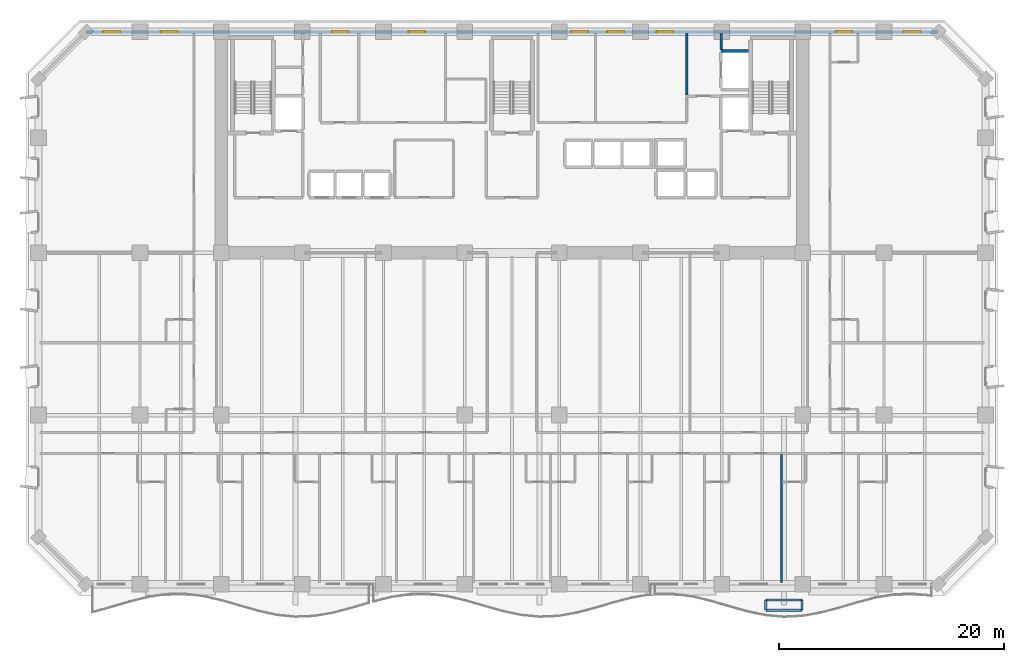
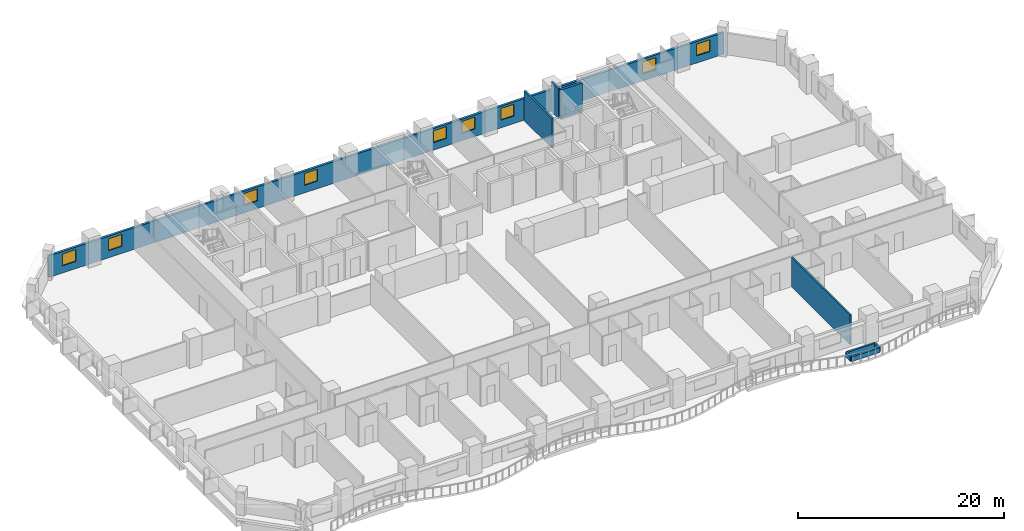
# One storey, part 9 of 15: 9 walls, 9 windows, 9 openings.
"""IFC4 building model written with IfcOpenShell, lengths in metres."""

from ifc_helpers import new_model, si_unit, direction, frame, frame_2d, origin, place, context, subcontext, project, spatial, rectangle, extrude, material, layer, layer_set, type_object, element, fill, save


model = new_model("IFC4")

# Units and contexts
model_context = context("Model", 3, precision=1e-05, world=origin(), true_north=direction((0.0, 1.0)))
body_context = subcontext(model_context, "Body", "Model", "MODEL_VIEW")
ifc_project = project(units=[si_unit("LENGTHUNIT", "METRE"), si_unit("AREAUNIT", "SQUARE_METRE"), si_unit("VOLUMEUNIT", "CUBIC_METRE"), si_unit("PLANEANGLEUNIT", "RADIAN"), si_unit("MASSUNIT", "GRAM", prefix="KILO")], contexts=[model_context])

# Site, building, storey
site_placement = place(None, origin())
site = spatial("IfcSite", under=ifc_project, at=site_placement, CompositionType="ELEMENT")
building_placement = place(site_placement, origin())
building = spatial("IfcBuilding", under=site, at=building_placement, Name="Kaelvorn Grand Hotel", CompositionType="ELEMENT")
storey_placement = place(building_placement, frame((0.0, 0.0, 57.64990234375)))
storey = spatial("IfcBuildingStorey", under=building, at=storey_placement, Name="L12", CompositionType="ELEMENT", Elevation=57.64990234375)

# Wall, openings, windows
ifc_material_1 = material(Name="Concrete C40/50", Category="concrete")
ifc_layer_1 = layer(ifc_material_1, 0.260009765625)
ifc_layer_set_1 = layer_set([ifc_layer_1], Name="Concrete C40/50")
wall_type_1 = type_object("IfcWallType", Name="WL-EXT-260-C40", PredefinedType="SOLIDWALL", material=ifc_layer_set_1)
wall_1_placement = place(storey_placement, frame((79.800048828125, 49.0, 0.0), z_axis=(0.0, 0.0, 1.0), x_axis=(-1.0, 0.0, 0.0)))
wall_1 = element("IfcWall", 1, at=wall_1_placement, inside=storey, type_object=wall_type_1, Name="L12 Exterior Architectural Concrete Wall 05", PredefinedType="SOLIDWALL", context=body_context, shape_type="SweptSolid", body=[
    extrude(rectangle(XDim=75.60009765625, YDim=0.260009765625, at=frame_2d((37.800048828125, 0.0))), origin(), (0.0, 0.0, 1.0), 2.56005859375),
])
opening_1_placement = place(wall_1_placement, frame((72.56494140625, 0.0, 0.85009765625)))
opening_1 = element("IfcOpeningElement", 2, at=opening_1_placement, cuts=wall_1, Name="Opening W10", PredefinedType="OPENING", context=body_context, shape_type="SweptSolid", body=[
    extrude(rectangle(XDim=1.5, YDim=1.39990234375, at=frame_2d((0.75, 0.699951171875))), frame((0.0, 0.14013671875, 0.0), z_axis=(0.0, -1.0, 0.0), x_axis=(1.0, 0.0, 0.0)), (0.0, 0.0, 1.0), 0.280029296875),
])
opening_2_placement = place(wall_1_placement, frame((67.449951171875, 0.0, 0.85009765625)))
opening_2 = element("IfcOpeningElement", 3, at=opening_2_placement, cuts=wall_1, Name="Opening W10", PredefinedType="OPENING", context=body_context, shape_type="SweptSolid", body=[
    extrude(rectangle(XDim=1.5, YDim=1.39990234375, at=frame_2d((0.75, 0.699951171875))), frame((0.0, 0.14013671875, 0.0), z_axis=(0.0, -1.0, 0.0), x_axis=(1.0, 0.0, 0.0)), (0.0, 0.0, 1.0), 0.280029296875),
])
opening_3_placement = place(wall_1_placement, frame((7.60009765625, 0.0, 0.85009765625)))
opening_3 = element("IfcOpeningElement", 4, at=opening_3_placement, cuts=wall_1, Name="Opening W10", PredefinedType="OPENING", context=body_context, shape_type="SweptSolid", body=[
    extrude(rectangle(XDim=1.5, YDim=1.39990234375, at=frame_2d((0.75, 0.699951171875))), frame((0.0, 0.14013671875, 0.0), z_axis=(0.0, -1.0, 0.0), x_axis=(1.0, 0.0, 0.0)), (0.0, 0.0, 1.0), 0.280029296875),
])
opening_4_placement = place(wall_1_placement, frame((1.534912109375, 0.0, 0.85009765625)))
opening_4 = element("IfcOpeningElement", 5, at=opening_4_placement, cuts=wall_1, Name="Opening W10", PredefinedType="OPENING", context=body_context, shape_type="SweptSolid", body=[
    extrude(rectangle(XDim=1.5, YDim=1.39990234375, at=frame_2d((0.75, 0.699951171875))), frame((0.0, 0.14013671875, 0.0), z_axis=(0.0, -1.0, 0.0), x_axis=(1.0, 0.0, 0.0)), (0.0, 0.0, 1.0), 0.280029296875),
])
opening_5_placement = place(wall_1_placement, frame((52.264892578125, 0.0, 0.89990234375)))
opening_5 = element("IfcOpeningElement", 6, at=opening_5_placement, cuts=wall_1, Name="Opening W10", PredefinedType="OPENING", context=body_context, shape_type="SweptSolid", body=[
    extrude(rectangle(XDim=1.5, YDim=1.39990234375, at=frame_2d((0.75, 0.699951171875))), frame((0.0, 0.14013671875, 0.0), z_axis=(0.0, -1.0, 0.0), x_axis=(1.0, 0.0, 0.0)), (0.0, 0.0, 1.0), 0.280029296875),
])
opening_6_placement = place(wall_1_placement, frame((45.5, 0.0, 0.89990234375)))
opening_6 = element("IfcOpeningElement", 7, at=opening_6_placement, cuts=wall_1, Name="Opening W10", PredefinedType="OPENING", context=body_context, shape_type="SweptSolid", body=[
    extrude(rectangle(XDim=1.5, YDim=1.39990234375, at=frame_2d((0.75, 0.699951171875))), frame((0.0, 0.14013671875, 0.0), z_axis=(0.0, -1.0, 0.0), x_axis=(1.0, 0.0, 0.0)), (0.0, 0.0, 1.0), 0.280029296875),
])
opening_7_placement = place(wall_1_placement, frame((31.050048828125, 0.0, 0.89990234375)))
opening_7 = element("IfcOpeningElement", 8, at=opening_7_placement, cuts=wall_1, Name="Opening W10", PredefinedType="OPENING", context=body_context, shape_type="SweptSolid", body=[
    extrude(rectangle(XDim=1.5, YDim=1.39990234375, at=frame_2d((0.75, 0.699951171875))), frame((0.0, 0.14013671875, 0.0), z_axis=(0.0, -1.0, 0.0), x_axis=(1.0, 0.0, 0.0)), (0.0, 0.0, 1.0), 0.280029296875),
])
opening_8_placement = place(wall_1_placement, frame((27.85009765625, 0.0, 0.89990234375)))
opening_8 = element("IfcOpeningElement", 9, at=opening_8_placement, cuts=wall_1, Name="Opening W10", PredefinedType="OPENING", context=body_context, shape_type="SweptSolid", body=[
    extrude(rectangle(XDim=1.5, YDim=1.39990234375, at=frame_2d((0.75, 0.699951171875))), frame((0.0, 0.14013671875, 0.0), z_axis=(0.0, -1.0, 0.0), x_axis=(1.0, 0.0, 0.0)), (0.0, 0.0, 1.0), 0.280029296875),
])
opening_9_placement = place(wall_1_placement, frame((23.485107421875, 0.0, 0.89990234375)))
opening_9 = element("IfcOpeningElement", 10, at=opening_9_placement, cuts=wall_1, Name="Opening W10", PredefinedType="OPENING", context=body_context, shape_type="SweptSolid", body=[
    extrude(rectangle(XDim=1.5, YDim=1.39990234375, at=frame_2d((0.75, 0.699951171875))), frame((0.0, 0.14013671875, 0.0), z_axis=(0.0, -1.0, 0.0), x_axis=(1.0, 0.0, 0.0)), (0.0, 0.0, 1.0), 0.280029296875),
])
ifc_material_2 = material(Name="Laminated Low-E Glass", Category="glass")
window_type = type_object("IfcWindowType", Name="WIN-COR-1500x1400", PartitioningType="SINGLE_PANEL", PredefinedType="WINDOW", material=ifc_material_2)
window_1_placement = place(opening_1_placement, origin())
window_1 = element("IfcWindow", 11, at=window_1_placement, inside=storey, type_object=window_type, Name="L12 North Wing Ribbon Window NW01", OverallHeight=1.39990234375, OverallWidth=1.5, PartitioningType="SINGLE_PANEL", PredefinedType="WINDOW", context=body_context, shape_type="SweptSolid", body=[
    extrude(rectangle(XDim=1.5, YDim=1.39990234375, at=frame_2d((0.75, 0.699951171875))), frame((0.0, 0.030029296875, 0.0), z_axis=(0.0, -1.0, 0.0), x_axis=(1.0, 0.0, 0.0)), (0.0, 0.0, 1.0), 0.06005859375),
])
fill(opening_1, window_1)
window_2_placement = place(opening_2_placement, origin())
window_2 = element("IfcWindow", 12, at=window_2_placement, inside=storey, type_object=window_type, Name="L12 North Wing Ribbon Window NW02", OverallHeight=1.39990234375, OverallWidth=1.5, PartitioningType="SINGLE_PANEL", PredefinedType="WINDOW", context=body_context, shape_type="SweptSolid", body=[
    extrude(rectangle(XDim=1.5, YDim=1.39990234375, at=frame_2d((0.75, 0.699951171875))), frame((0.0, 0.030029296875, 0.0), z_axis=(0.0, -1.0, 0.0), x_axis=(1.0, 0.0, 0.0)), (0.0, 0.0, 1.0), 0.06005859375),
])
fill(opening_2, window_2)
window_3_placement = place(opening_3_placement, origin())
window_3 = element("IfcWindow", 13, at=window_3_placement, inside=storey, type_object=window_type, Name="L12 North Wing Ribbon Window NW03", OverallHeight=1.39990234375, OverallWidth=1.5, PartitioningType="SINGLE_PANEL", PredefinedType="WINDOW", context=body_context, shape_type="SweptSolid", body=[
    extrude(rectangle(XDim=1.5, YDim=1.39990234375, at=frame_2d((0.75, 0.699951171875))), frame((0.0, 0.030029296875, 0.0), z_axis=(0.0, -1.0, 0.0), x_axis=(1.0, 0.0, 0.0)), (0.0, 0.0, 1.0), 0.06005859375),
])
fill(opening_3, window_3)
window_4_placement = place(opening_4_placement, origin())
window_4 = element("IfcWindow", 14, at=window_4_placement, inside=storey, type_object=window_type, Name="L12 North Wing Ribbon Window NW04", OverallHeight=1.39990234375, OverallWidth=1.5, PartitioningType="SINGLE_PANEL", PredefinedType="WINDOW", context=body_context, shape_type="SweptSolid", body=[
    extrude(rectangle(XDim=1.5, YDim=1.39990234375, at=frame_2d((0.75, 0.699951171875))), frame((0.0, 0.030029296875, 0.0), z_axis=(0.0, -1.0, 0.0), x_axis=(1.0, 0.0, 0.0)), (0.0, 0.0, 1.0), 0.06005859375),
])
fill(opening_4, window_4)
window_5_placement = place(opening_5_placement, origin())
window_5 = element("IfcWindow", 15, at=window_5_placement, inside=storey, type_object=window_type, Name="L12 North Core Clerestory Ribbon Window NC05", OverallHeight=1.39990234375, OverallWidth=1.5, PartitioningType="SINGLE_PANEL", PredefinedType="WINDOW", context=body_context, shape_type="SweptSolid", body=[
    extrude(rectangle(XDim=1.5, YDim=1.39990234375, at=frame_2d((0.75, 0.699951171875))), frame((0.0, 0.030029296875, 0.0), z_axis=(0.0, -1.0, 0.0), x_axis=(1.0, 0.0, 0.0)), (0.0, 0.0, 1.0), 0.06005859375),
])
fill(opening_5, window_5)
window_6_placement = place(opening_6_placement, origin())
window_6 = element("IfcWindow", 16, at=window_6_placement, inside=storey, type_object=window_type, Name="L12 North Core Clerestory Ribbon Window NC06", OverallHeight=1.39990234375, OverallWidth=1.5, PartitioningType="SINGLE_PANEL", PredefinedType="WINDOW", context=body_context, shape_type="SweptSolid", body=[
    extrude(rectangle(XDim=1.5, YDim=1.39990234375, at=frame_2d((0.75, 0.699951171875))), frame((0.0, 0.030029296875, 0.0), z_axis=(0.0, -1.0, 0.0), x_axis=(1.0, 0.0, 0.0)), (0.0, 0.0, 1.0), 0.06005859375),
])
fill(opening_6, window_6)
window_7_placement = place(opening_7_placement, origin())
window_7 = element("IfcWindow", 17, at=window_7_placement, inside=storey, type_object=window_type, Name="L12 North Core Clerestory Ribbon Window NC07", OverallHeight=1.39990234375, OverallWidth=1.5, PartitioningType="SINGLE_PANEL", PredefinedType="WINDOW", context=body_context, shape_type="SweptSolid", body=[
    extrude(rectangle(XDim=1.5, YDim=1.39990234375, at=frame_2d((0.75, 0.699951171875))), frame((0.0, 0.030029296875, 0.0), z_axis=(0.0, -1.0, 0.0), x_axis=(1.0, 0.0, 0.0)), (0.0, 0.0, 1.0), 0.06005859375),
])
fill(opening_7, window_7)
window_8_placement = place(opening_8_placement, origin())
window_8 = element("IfcWindow", 18, at=window_8_placement, inside=storey, type_object=window_type, Name="L12 North Core Clerestory Ribbon Window NC08", OverallHeight=1.39990234375, OverallWidth=1.5, PartitioningType="SINGLE_PANEL", PredefinedType="WINDOW", context=body_context, shape_type="SweptSolid", body=[
    extrude(rectangle(XDim=1.5, YDim=1.39990234375, at=frame_2d((0.75, 0.699951171875))), frame((0.0, 0.030029296875, 0.0), z_axis=(0.0, -1.0, 0.0), x_axis=(1.0, 0.0, 0.0)), (0.0, 0.0, 1.0), 0.06005859375),
])
fill(opening_8, window_8)
window_9_placement = place(opening_9_placement, origin())
window_9 = element("IfcWindow", 19, at=window_9_placement, inside=storey, type_object=window_type, Name="L12 North Core Clerestory Ribbon Window NC09", OverallHeight=1.39990234375, OverallWidth=1.5, PartitioningType="SINGLE_PANEL", PredefinedType="WINDOW", context=body_context, shape_type="SweptSolid", body=[
    extrude(rectangle(XDim=1.5, YDim=1.39990234375, at=frame_2d((0.75, 0.699951171875))), frame((0.0, 0.030029296875, 0.0), z_axis=(0.0, -1.0, 0.0), x_axis=(1.0, 0.0, 0.0)), (0.0, 0.0, 1.0), 0.06005859375),
])
fill(opening_9, window_9)

# Walls
ifc_material_3 = material(Name="Acoustic Gypsum & Stud Partition")
ifc_layer_2 = layer(ifc_material_3, 0.179931640625)
ifc_layer_set_2 = layer_set([ifc_layer_2], Name="Acoustic Gypsum & Stud Partition")
wall_type_2 = type_object("IfcWallType", Name="WL-PART-180-EI60", PredefinedType="PARTITIONING", material=ifc_layer_set_2)
wall_2_placement = place(storey_placement, frame((65.8955078125, 0.14990234375, 0.0), z_axis=(0.0, 0.0, 1.0), x_axis=(0.0, 1.0, 0.0)))
element("IfcWall", 20, at=wall_2_placement, inside=storey, type_object=wall_type_2, Name="L12 Deluxe Panoramic Suite L12-09 E Partition", PredefinedType="PARTITIONING", context=body_context, shape_type="SweptSolid", body=[
    extrude(rectangle(XDim=11.35498046875, YDim=0.179931640625, at=frame_2d((5.677490234375, 0.0))), origin(), (0.0, 0.0, 1.0), 3.510009765625),
])
ifc_layer_3 = layer(ifc_material_1, 0.219970703125)
ifc_layer_set_3 = layer_set([ifc_layer_3], Name="Concrete C40/50")
wall_type_3 = type_object("IfcWallType", Name="WL-PART-220-EI120", PredefinedType="PARTITIONING", material=ifc_layer_set_3)
wall_3_placement = place(storey_placement, frame((57.5, 43.4150390625, 0.0), z_axis=(0.0, 0.0, 1.0), x_axis=(0.0, 1.0, 0.0)))
element("IfcWall", 21, at=wall_3_placement, inside=storey, type_object=wall_type_3, Name="L12 Service Lift Lobby W Partition", PredefinedType="PARTITIONING", context=body_context, shape_type="SweptSolid", body=[
    extrude(rectangle(XDim=5.43505859375, YDim=0.219970703125, at=frame_2d((2.717529296875, 0.0))), origin(), (0.0, 0.0, 1.0), 3.510009765625),
])
wall_4_placement = place(storey_placement, frame((60.550048828125, 47.445068359375, 0.0), z_axis=(0.0, 0.0, 1.0), x_axis=(0.0, 1.0, 0.0)))
element("IfcWall", 22, at=wall_4_placement, inside=storey, type_object=wall_type_3, Name="L12 Service Lift Lobby E Partition", PredefinedType="PARTITIONING", context=body_context, shape_type="SweptSolid", body=[
    extrude(rectangle(XDim=1.405029296875, YDim=0.219970703125, at=frame_2d((0.70263671875, 0.0))), origin(), (0.0, 0.0, 1.0), 3.510009765625),
])
ifc_material_4 = material(Name="Concrete C50/60", Category="concrete")
ifc_layer_4 = layer(ifc_material_4, 0.280029296875)
ifc_layer_set_4 = layer_set([ifc_layer_4], Name="Concrete C50/60")
wall_type_4 = type_object("IfcWallType", Name="WL-SHAFT-280-C50", PredefinedType="SHEAR", material=ifc_layer_set_4)
wall_5_placement = place(storey_placement, frame((60.550048828125, 47.300048828125, 0.0), z_axis=(0.0, 0.0, 1.0), x_axis=(1.0, 0.0, 0.0)))
element("IfcWall", 23, at=wall_5_placement, inside=storey, type_object=wall_type_4, Name="L12 Lift SV1 Shaft North Wall", PredefinedType="SHEAR", context=body_context, shape_type="SweptSolid", body=[
    extrude(rectangle(XDim=2.4150390625, YDim=0.280029296875, at=frame_2d((1.20751953125, 0.0))), origin(), (0.0, 0.0, 1.0), 3.510009765625),
])
ifc_layer_5 = layer(ifc_material_1, 0.199951171875)
ifc_layer_set_5 = layer_set([ifc_layer_5], Name="Concrete C40/50")
wall_type_5 = type_object("IfcWallType", Name="WL-TREE-PLANTER-200", PredefinedType="PARAPET", material=ifc_layer_set_5)
wall_6_placement = place(storey_placement, frame((64.515625, -2.300048828125, 0.0), z_axis=(0.0, 0.0, 1.0), x_axis=(1.0, 0.0, 0.0)))
element("IfcWall", 24, at=wall_6_placement, inside=storey, type_object=wall_type_5, Name="L12 Planted Balcony Structural TREE PLANTER Kerb 1-S", PredefinedType="PARAPET", context=body_context, shape_type="SweptSolid", body=[
    extrude(rectangle(XDim=3.199951171875, YDim=0.199951171875, at=frame_2d((1.60009765625, 0.0))), origin(), (0.0, 0.0, 1.0), 0.550048828125),
])
wall_7_placement = place(storey_placement, frame((67.715576171875, -2.300048828125, 0.0), z_axis=(0.0, 0.0, 1.0), x_axis=(0.0, 1.0, 0.0)))
element("IfcWall", 25, at=wall_7_placement, inside=storey, type_object=wall_type_5, Name="L12 Planted Balcony Structural TREE PLANTER Kerb 1-E", PredefinedType="PARAPET", context=body_context, shape_type="SweptSolid", body=[
    extrude(rectangle(XDim=0.900146484375, YDim=0.199951171875, at=frame_2d((0.4501953125, 0.0))), origin(), (0.0, 0.0, 1.0), 0.550048828125),
])
wall_8_placement = place(storey_placement, frame((67.715576171875, -1.39990234375, 0.0), z_axis=(0.0, 0.0, 1.0), x_axis=(-1.0, 0.0, 0.0)))
element("IfcWall", 26, at=wall_8_placement, inside=storey, type_object=wall_type_5, Name="L12 Planted Balcony Structural TREE PLANTER Kerb 1-N", PredefinedType="PARAPET", context=body_context, shape_type="SweptSolid", body=[
    extrude(rectangle(XDim=3.199951171875, YDim=0.199951171875, at=frame_2d((1.60009765625, 0.0))), origin(), (0.0, 0.0, 1.0), 0.550048828125),
])
wall_9_placement = place(storey_placement, frame((64.515625, -1.39990234375, 0.0), z_axis=(0.0, 0.0, 1.0), x_axis=(0.0, -1.0, 0.0)))
element("IfcWall", 27, at=wall_9_placement, inside=storey, type_object=wall_type_5, Name="L12 Planted Balcony Structural TREE PLANTER Kerb 1-W", PredefinedType="PARAPET", context=body_context, shape_type="SweptSolid", body=[
    extrude(rectangle(XDim=0.900146484375, YDim=0.199951171875, at=frame_2d((0.4501953125, 0.0))), origin(), (0.0, 0.0, 1.0), 0.550048828125),
])

save(model, "model.ifc")
